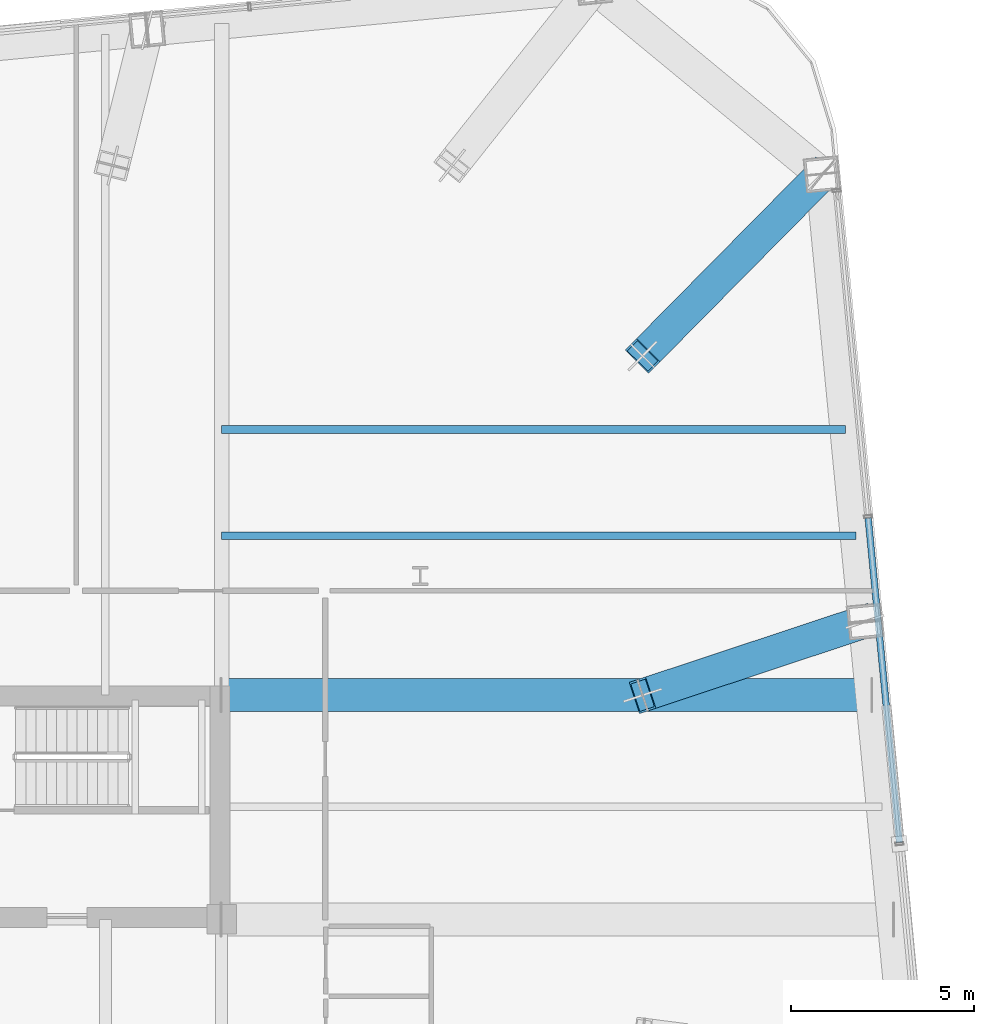
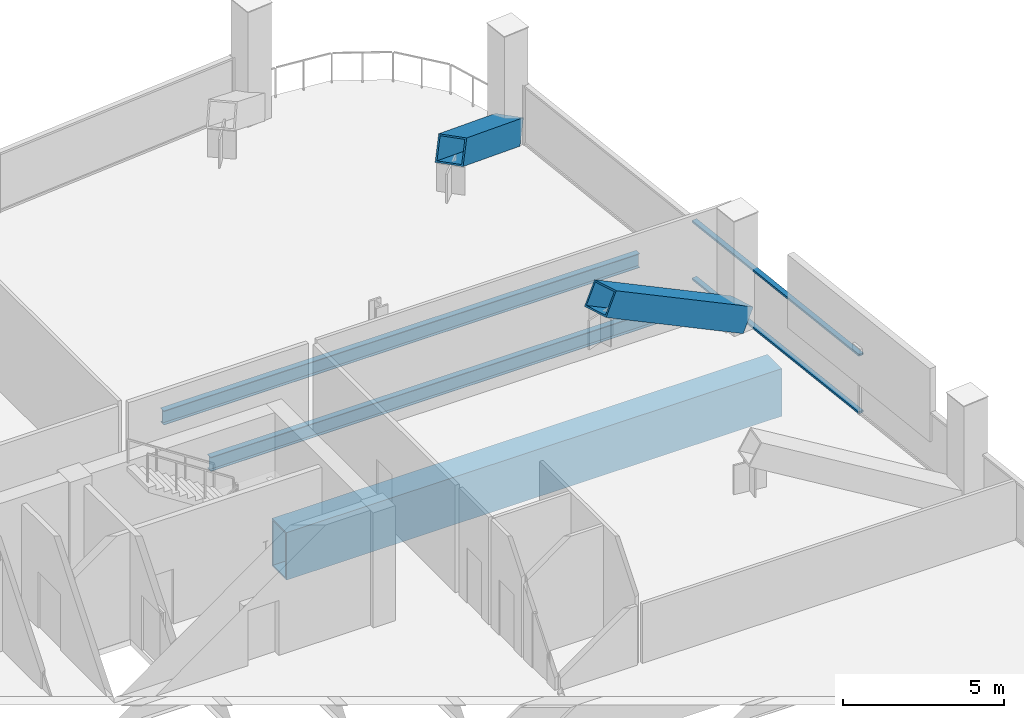
# One storey, part 18 of 30: 4 members, 3 beams, 1 element without a shape of its own.
"""IFC4 building model written with IfcOpenShell, lengths in metres."""

from ifc_helpers import new_model, si_unit, direction, frame, origin, origin_2d, place, context, subcontext, project, spatial, hollow_rectangle, i_section, extrude, material, layer, layer_set, material_profile, profile_set, type_object, element, aggregate, save


model = new_model("IFC4")

# Units and contexts
model_context = context("Model", 3, precision=1e-05, world=origin(), true_north=direction((0.0, 1.0)))
body_context = subcontext(model_context, "Body", "Model", "MODEL_VIEW")
ifc_project = project(units=[si_unit("LENGTHUNIT", "METRE"), si_unit("AREAUNIT", "SQUARE_METRE"), si_unit("VOLUMEUNIT", "CUBIC_METRE"), si_unit("PLANEANGLEUNIT", "RADIAN"), si_unit("MASSUNIT", "GRAM", prefix="KILO")], contexts=[model_context])

# Site, building, storey
site_placement = place(None, origin())
site = spatial("IfcSite", under=ifc_project, at=site_placement, CompositionType="ELEMENT")
building_placement = place(site_placement, origin())
building = spatial("IfcBuilding", under=site, at=building_placement, Name="Qhalaya Broadcast Tower", CompositionType="ELEMENT")
storey_placement = place(building_placement, frame((0.0, 0.0, 96.89990234375)))
storey = spatial("IfcBuildingStorey", under=building, at=storey_placement, Name="L28", CompositionType="ELEMENT", Elevation=96.89990234375)

# Beams
ifc_material_1 = material(Name="Structural Steel ASTM A572 Grade 50", Category="steel")
ifc_material_profile_1 = material_profile(ifc_material_1, hollow_rectangle(XDim=0.89990234375, YDim=1.800048828125, WallThickness=0.06005859375, at=origin_2d()), Name="BOX 900x1800x60")
ifc_profile_set_1 = profile_set([ifc_material_profile_1], Name="Structural Steel ASTM A572 Grade 50")
beam_type_1 = type_object("IfcBeamType", Name="Block Cantilever Transfer Box Girder TG1", PredefinedType="USERDEFINED", material=ifc_profile_set_1)
beam_1_placement = place(storey_placement, frame((9.375, 9.949951171875, -1.119873046875), z_axis=(1.0, 0.0, 0.0), x_axis=(0.0, 1.0, 0.0)))
element("IfcBeam", 1, at=beam_1_placement, inside=storey, type_object=beam_type_1, Name="L28 TG1 L28-PGYE4-1", ObjectType="GIRDER", PredefinedType="USERDEFINED", context=body_context, shape_type="SweptSolid", body=[
    extrude(hollow_rectangle(XDim=0.89990234375, YDim=1.800048828125, WallThickness=0.06005859375, at=origin_2d()), origin(), (0.0, 0.0, 1.0), 17.7392578125),
])
ifc_material_2 = material(Name="Structural Steel ASTM A992 Grade 50", Category="steel")
ifc_material_profile_2 = material_profile(ifc_material_2, i_section(OverallWidth=0.2099609375, OverallDepth=0.535888671875, WebThickness=0.010986328125, FlangeThickness=0.017333984375, at=origin_2d()), Name="W21X68")
ifc_profile_set_2 = profile_set([ifc_material_profile_2], Name="Structural Steel ASTM A992 Grade 50")
beam_type_2 = type_object("IfcBeamType", Name="Composite Floor Joist J02", PredefinedType="JOIST", material=ifc_profile_set_2)
beam_2_placement = place(storey_placement, frame((9.375, 14.300048828125, -0.48779296875), z_axis=(1.0, 0.0, 0.0), x_axis=(0.0, 1.0, 0.0)))
element("IfcBeam", 2, at=beam_2_placement, inside=storey, type_object=beam_type_2, Name="L28 J02 L28-JWE6E-1", PredefinedType="JOIST", context=body_context, shape_type="SweptSolid", body=[
    extrude(i_section(OverallWidth=0.2099609375, OverallDepth=0.535888671875, WebThickness=0.010986328125, FlangeThickness=0.017333984375, at=origin_2d()), origin(), (0.0, 0.0, 1.0), 17.3203125),
])
beam_3_placement = place(storey_placement, frame((9.375, 17.199951171875, -0.48779296875), z_axis=(1.0, 0.0, 0.0), x_axis=(0.0, 1.0, 0.0)))
element("IfcBeam", 3, at=beam_3_placement, inside=storey, type_object=beam_type_2, Name="L28 J02 L28-JWE7E-1", PredefinedType="JOIST", context=body_context, shape_type="SweptSolid", body=[
    extrude(i_section(OverallWidth=0.2099609375, OverallDepth=0.535888671875, WebThickness=0.010986328125, FlangeThickness=0.017333984375, at=origin_2d()), origin(), (0.0, 0.0, 1.0), 17.041015625),
])

# Members
ifc_material_profile_3 = material_profile(ifc_material_1, hollow_rectangle(XDim=0.89990234375, YDim=0.89990234375, WallThickness=0.054931640625, at=origin_2d()), Name="BOX 900x900x55")
ifc_profile_set_3 = profile_set([ifc_material_profile_3], Name="Structural Steel ASTM A572 Grade 50")
member_type_1 = type_object("IfcMemberType", Name="Heavy Exoskeleton Transfer Strut RK1", PredefinedType="BRACE", material=ifc_profile_set_3)
member_1_placement = place(storey_placement, frame((26.941162109375, 11.955078125, 0.392822265625), z_axis=(-0.807218267413, -0.267482145956, 0.526167245607), x_axis=(0.3145438478, -0.949242944568, 0.0)))
element("IfcMember", 4, at=member_1_placement, inside=storey, type_object=member_type_1, Name="L28 Inclined Exoskeleton Transfer Strut 07", PredefinedType="BRACE", context=body_context, shape_type="SweptSolid", body=[
    extrude(hollow_rectangle(XDim=0.89990234375, YDim=0.89990234375, WallThickness=0.054931640625, at=origin_2d()), origin(), (0.0, 0.0, 1.0), 7.52099609375),
])
member_2_placement = place(storey_placement, frame((25.765380859375, 24.165283203125, 0.401611328125), z_axis=(-0.611385784076, -0.61888670188, 0.493139608292), x_axis=(0.711404758099, -0.702782519813, 0.0)))
element("IfcMember", 5, at=member_2_placement, inside=storey, type_object=member_type_1, Name="L28 Inclined Exoskeleton Transfer Strut 08", PredefinedType="BRACE", context=body_context, shape_type="SweptSolid", body=[
    extrude(hollow_rectangle(XDim=0.89990234375, YDim=0.89990234375, WallThickness=0.054931640625, at=origin_2d()), origin(), (0.0, 0.0, 1.0), 8.0068359375),
])

# Curtain wall, members
ifc_material_3 = material(Name="Fired Architectural Terracotta", Category="masonry")
ifc_layer = layer(ifc_material_3, 0.219970703125, Name="Fired Architectural Terracotta")
ifc_layer_set = layer_set([ifc_layer], Name="Fired Architectural Terracotta")
curtain_wall_type = type_object("IfcCurtainWallType", Name="Block-Cap Unitised Terracotta Spandrel Wall CW-07", PredefinedType="NOTDEFINED", material=ifc_layer_set)
curtain_wall_placement = place(storey_placement, origin())
curtain_wall = element("IfcCurtainWall", 6, at=curtain_wall_placement, inside=storey, type_object=curtain_wall_type, Name="L28 Unitised Curtain Wall L28-CW-E", PredefinedType="NOTDEFINED")
ifc_material_4 = material(Name="Anodised Aluminium 6063-T6", Category="aluminium")
ifc_material_profile_4 = material_profile(ifc_material_4, hollow_rectangle(XDim=0.074951171875, YDim=0.179931640625, WallThickness=0.00390625, at=origin_2d()), Name="ALU-TRN 75x180x4")
ifc_profile_set_4 = profile_set([ifc_material_profile_4], Name="Anodised Aluminium 6063-T6")
member_type_2 = type_object("IfcMemberType", Name="Unitised Curtain-Wall Transom T01", PredefinedType="USERDEFINED", material=ifc_profile_set_4)
member_3_placement = place(storey_placement, frame((27.0302734375, 14.78662109375, 0.03759765625), z_axis=(0.095836201822, -0.995397117949, 0.0), x_axis=(0.0, 0.0, 1.0)))
member_3 = element("IfcMember", 7, at=member_3_placement, type_object=member_type_2, Name="CW-07 transom 2.1", ObjectType="TRANSOM", PredefinedType="USERDEFINED", context=body_context, shape_type="SweptSolid", body=[
    extrude(hollow_rectangle(XDim=0.074951171875, YDim=0.179931640625, WallThickness=0.00390625, at=origin_2d()), origin(), (0.0, 0.0, 1.0), 8.906005859375),
])
member_4_placement = place(storey_placement, frame((27.0302734375, 14.78662109375, 2.212646484375), z_axis=(0.095836201822, -0.995397117949, 0.0), x_axis=(0.0, 0.0, 1.0)))
member_4 = element("IfcMember", 8, at=member_4_placement, type_object=member_type_2, Name="CW-07 transom 2.2", ObjectType="TRANSOM", PredefinedType="USERDEFINED", context=body_context, shape_type="SweptSolid", body=[
    extrude(hollow_rectangle(XDim=0.074951171875, YDim=0.179931640625, WallThickness=0.00390625, at=origin_2d()), origin(), (0.0, 0.0, 1.0), 8.906005859375),
])
aggregate(curtain_wall, [member_3, member_4])

save(model, "model.ifc")
